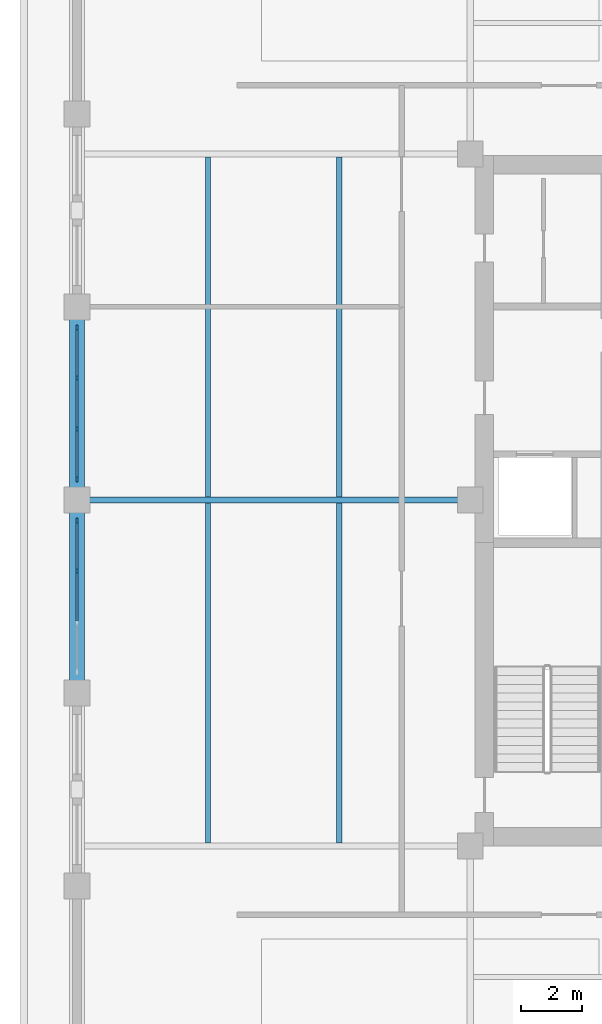
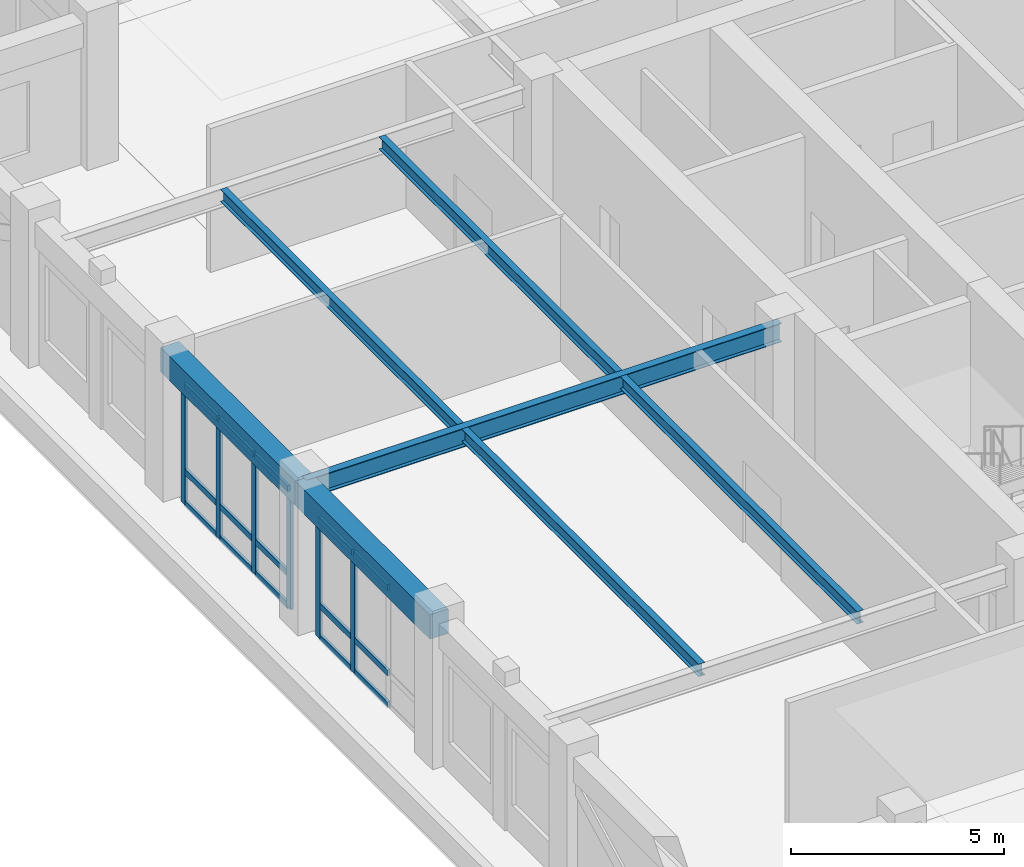
# One storey, part 3 of 14: 21 members, 7 beams, 2 elements without a shape of their own.
"""IFC4 building model written with IfcOpenShell, lengths in metres."""

from ifc_helpers import new_model, si_unit, direction, frame, origin, origin_2d, place, context, subcontext, project, spatial, rectangle, i_section, extrude, material, layer, layer_set, material_profile, profile_set, type_object, element, aggregate, save


model = new_model("IFC4")

# Units and contexts
model_context = context("Model", 3, precision=1e-05, world=origin(), true_north=direction((0.0, 1.0)))
body_context = subcontext(model_context, "Body", "Model", "MODEL_VIEW")
ifc_project = project(units=[si_unit("LENGTHUNIT", "METRE"), si_unit("AREAUNIT", "SQUARE_METRE"), si_unit("VOLUMEUNIT", "CUBIC_METRE"), si_unit("PLANEANGLEUNIT", "RADIAN"), si_unit("MASSUNIT", "GRAM", prefix="KILO")], contexts=[model_context])

# Site, building, storey
site_placement = place(None, origin())
site = spatial("IfcSite", under=ifc_project, at=site_placement, CompositionType="ELEMENT")
building_placement = place(site_placement, origin())
building = spatial("IfcBuilding", under=site, at=building_placement, Name="Nhamokura Convention Tower", CompositionType="ELEMENT")
storey_placement = place(building_placement, frame((0.0, 0.0, 182.35009765625)))
storey = spatial("IfcBuildingStorey", under=building, at=storey_placement, Name="L44", CompositionType="ELEMENT", Elevation=182.35009765625)

# Curtain wall, members
ifc_material_1 = material(Name="Anodised bronze aluminium AA6063-T6", Category="aluminium")
ifc_layer = layer(ifc_material_1, 0.18994140625)
ifc_layer_set = layer_set([ifc_layer], Name="CWSystem_SkyLobby")
curtain_wall_type = type_object("IfcCurtainWallType", Name="CWSystem_SkyLobby", PredefinedType="NOTDEFINED", material=ifc_layer_set)
curtain_wall_1_placement = place(storey_placement, origin())
curtain_wall_1 = element("IfcCurtainWall", 1, at=curtain_wall_1_placement, inside=storey, type_object=curtain_wall_type, Name="L44 Curtain Wall ENV-L44-CW-W2", PredefinedType="NOTDEFINED")
ifc_material_2 = material(Name="Anodised bronze aluminium AA6063-T6", Category="aluminium")
ifc_material_profile_1 = material_profile(ifc_material_2, rectangle(XDim=0.074951171875, YDim=0.199951171875, at=origin_2d()))
ifc_profile_set_1 = profile_set([ifc_material_profile_1], Name="Anodised bronze aluminium AA6063-T6")
member_type_1 = type_object("IfcMemberType", Name="CWMullion_2", PredefinedType="MULLION", material=ifc_profile_set_1)
member_1_placement = place(storey_placement, frame((7.75, 29.672119140625, 0.0), z_axis=(0.0, 0.0, 1.0), x_axis=(-1.0, 0.0, 0.0)))
member_1 = element("IfcMember", 2, at=member_1_placement, type_object=member_type_1, Name="CW-06 mullion 3", PredefinedType="MULLION", context=body_context, shape_type="SweptSolid", body=[
    extrude(rectangle(XDim=0.074951171875, YDim=0.199951171875, at=origin_2d()), origin(), (0.0, 0.0, 1.0), 3.429931640625),
])
member_2_placement = place(storey_placement, frame((7.75, 31.3125, 0.0), z_axis=(0.0, 0.0, 1.0), x_axis=(-1.0, 0.0, 0.0)))
member_2 = element("IfcMember", 3, at=member_2_placement, type_object=member_type_1, Name="CW-06 mullion 4", PredefinedType="MULLION", context=body_context, shape_type="SweptSolid", body=[
    extrude(rectangle(XDim=0.074951171875, YDim=0.199951171875, at=origin_2d()), origin(), (0.0, 0.0, 1.0), 3.429931640625),
])

curtain_wall_2_placement = place(storey_placement, origin())
curtain_wall_2 = element("IfcCurtainWall", 4, at=curtain_wall_2_placement, inside=storey, type_object=curtain_wall_type, Name="L44 Curtain Wall ENV-L44-CW-W3", PredefinedType="NOTDEFINED")
member_3_placement = place(storey_placement, frame((7.75, 32.6875, 0.0), z_axis=(0.0, 0.0, 1.0), x_axis=(-1.0, 0.0, 0.0)))
member_3 = element("IfcMember", 5, at=member_3_placement, type_object=member_type_1, Name="CW-06 mullion 1", PredefinedType="MULLION", context=body_context, shape_type="SweptSolid", body=[
    extrude(rectangle(XDim=0.074951171875, YDim=0.199951171875, at=origin_2d()), origin(), (0.0, 0.0, 1.0), 3.429931640625),
])
member_4_placement = place(storey_placement, frame((7.75, 34.327880859375, 0.0), z_axis=(0.0, 0.0, 1.0), x_axis=(-1.0, 0.0, 0.0)))
member_4 = element("IfcMember", 6, at=member_4_placement, type_object=member_type_1, Name="CW-06 mullion 2", PredefinedType="MULLION", context=body_context, shape_type="SweptSolid", body=[
    extrude(rectangle(XDim=0.074951171875, YDim=0.199951171875, at=origin_2d()), origin(), (0.0, 0.0, 1.0), 3.429931640625),
])
member_5_placement = place(storey_placement, frame((7.75, 36.005615234375, 0.0), z_axis=(0.0, 0.0, 1.0), x_axis=(-1.0, 0.0, 0.0)))
member_5 = element("IfcMember", 7, at=member_5_placement, type_object=member_type_1, Name="CW-06 mullion 3", PredefinedType="MULLION", context=body_context, shape_type="SweptSolid", body=[
    extrude(rectangle(XDim=0.074951171875, YDim=0.199951171875, at=origin_2d()), origin(), (0.0, 0.0, 1.0), 3.429931640625),
])
member_6_placement = place(storey_placement, frame((7.75, 37.645751953125, 0.0), z_axis=(0.0, 0.0, 1.0), x_axis=(-1.0, 0.0, 0.0)))
member_6 = element("IfcMember", 8, at=member_6_placement, type_object=member_type_1, Name="CW-06 mullion 4", PredefinedType="MULLION", context=body_context, shape_type="SweptSolid", body=[
    extrude(rectangle(XDim=0.074951171875, YDim=0.199951171875, at=origin_2d()), origin(), (0.0, 0.0, 1.0), 3.429931640625),
])

# Member
ifc_material_3 = material(Name="Anodised bronze aluminium AA6063-T6", Category="aluminium")
ifc_material_profile_2 = material_profile(ifc_material_3, rectangle(XDim=0.074951171875, YDim=0.169921875, at=origin_2d()))
ifc_profile_set_2 = profile_set([ifc_material_profile_2], Name="Anodised bronze aluminium AA6063-T6")
member_type_2 = type_object("IfcMemberType", Name="CWTransom_2", PredefinedType="USERDEFINED", material=ifc_profile_set_2)
member_7_placement = place(storey_placement, frame((7.75, 28.031982421875, 0.037353515625), z_axis=(0.0, 1.0, 0.0), x_axis=(-1.0, 0.0, 0.0)))
member_7 = element("IfcMember", 9, at=member_7_placement, type_object=member_type_2, Name="CW-06 transom 2.1", ObjectType="TRANSOM", PredefinedType="USERDEFINED", context=body_context, shape_type="SweptSolid", body=[
    extrude(rectangle(XDim=0.074951171875, YDim=0.169921875, at=origin_2d()), origin(), (0.0, 0.0, 1.0), 1.602783203125),
])

member_8_placement = place(storey_placement, frame((7.75, 28.031982421875, 0.949951171875), z_axis=(0.0, 1.0, 0.0), x_axis=(-1.0, 0.0, 0.0)))
member_8 = element("IfcMember", 10, at=member_8_placement, type_object=member_type_2, Name="CW-06 transom 2.2", ObjectType="TRANSOM", PredefinedType="USERDEFINED", context=body_context, shape_type="SweptSolid", body=[
    extrude(rectangle(XDim=0.074951171875, YDim=0.169921875, at=origin_2d()), origin(), (0.0, 0.0, 1.0), 1.602783203125),
])

member_9_placement = place(storey_placement, frame((7.75, 28.031982421875, 3.392333984375), z_axis=(0.0, 1.0, 0.0), x_axis=(-1.0, 0.0, 0.0)))
member_9 = element("IfcMember", 11, at=member_9_placement, type_object=member_type_2, Name="CW-06 transom 2.3", ObjectType="TRANSOM", PredefinedType="USERDEFINED", context=body_context, shape_type="SweptSolid", body=[
    extrude(rectangle(XDim=0.074951171875, YDim=0.169921875, at=origin_2d()), origin(), (0.0, 0.0, 1.0), 1.602783203125),
])

member_10_placement = place(storey_placement, frame((7.75, 29.709716796875, 0.037353515625), z_axis=(0.0, 1.0, 0.0), x_axis=(-1.0, 0.0, 0.0)))
member_10 = element("IfcMember", 12, at=member_10_placement, type_object=member_type_2, Name="CW-06 transom 3.1", ObjectType="TRANSOM", PredefinedType="USERDEFINED", context=body_context, shape_type="SweptSolid", body=[
    extrude(rectangle(XDim=0.074951171875, YDim=0.169921875, at=origin_2d()), origin(), (0.0, 0.0, 1.0), 1.565185546875),
])

member_11_placement = place(storey_placement, frame((7.75, 29.709716796875, 0.949951171875), z_axis=(0.0, 1.0, 0.0), x_axis=(-1.0, 0.0, 0.0)))
member_11 = element("IfcMember", 13, at=member_11_placement, type_object=member_type_2, Name="CW-06 transom 3.2", ObjectType="TRANSOM", PredefinedType="USERDEFINED", context=body_context, shape_type="SweptSolid", body=[
    extrude(rectangle(XDim=0.074951171875, YDim=0.169921875, at=origin_2d()), origin(), (0.0, 0.0, 1.0), 1.565185546875),
])

member_12_placement = place(storey_placement, frame((7.75, 29.709716796875, 3.392333984375), z_axis=(0.0, 1.0, 0.0), x_axis=(-1.0, 0.0, 0.0)))
member_12 = element("IfcMember", 14, at=member_12_placement, type_object=member_type_2, Name="CW-06 transom 3.3", ObjectType="TRANSOM", PredefinedType="USERDEFINED", context=body_context, shape_type="SweptSolid", body=[
    extrude(rectangle(XDim=0.074951171875, YDim=0.169921875, at=origin_2d()), origin(), (0.0, 0.0, 1.0), 1.565185546875),
])

aggregate(curtain_wall_1, [member_1, member_2, member_7, member_8, member_9, member_10, member_11, member_12])

member_13_placement = place(storey_placement, frame((7.75, 32.72509765625, 0.037353515625), z_axis=(0.0, 1.0, 0.0), x_axis=(-1.0, 0.0, 0.0)))
member_13 = element("IfcMember", 15, at=member_13_placement, type_object=member_type_2, Name="CW-06 transom 1.1", ObjectType="TRANSOM", PredefinedType="USERDEFINED", context=body_context, shape_type="SweptSolid", body=[
    extrude(rectangle(XDim=0.074951171875, YDim=0.169921875, at=origin_2d()), origin(), (0.0, 0.0, 1.0), 1.565185546875),
])

member_14_placement = place(storey_placement, frame((7.75, 32.72509765625, 0.949951171875), z_axis=(0.0, 1.0, 0.0), x_axis=(-1.0, 0.0, 0.0)))
member_14 = element("IfcMember", 16, at=member_14_placement, type_object=member_type_2, Name="CW-06 transom 1.2", ObjectType="TRANSOM", PredefinedType="USERDEFINED", context=body_context, shape_type="SweptSolid", body=[
    extrude(rectangle(XDim=0.074951171875, YDim=0.169921875, at=origin_2d()), origin(), (0.0, 0.0, 1.0), 1.565185546875),
])

member_15_placement = place(storey_placement, frame((7.75, 32.72509765625, 3.392333984375), z_axis=(0.0, 1.0, 0.0), x_axis=(-1.0, 0.0, 0.0)))
member_15 = element("IfcMember", 17, at=member_15_placement, type_object=member_type_2, Name="CW-06 transom 1.3", ObjectType="TRANSOM", PredefinedType="USERDEFINED", context=body_context, shape_type="SweptSolid", body=[
    extrude(rectangle(XDim=0.074951171875, YDim=0.169921875, at=origin_2d()), origin(), (0.0, 0.0, 1.0), 1.565185546875),
])

member_16_placement = place(storey_placement, frame((7.75, 34.365234375, 0.037353515625), z_axis=(0.0, 1.0, 0.0), x_axis=(-1.0, 0.0, 0.0)))
member_16 = element("IfcMember", 18, at=member_16_placement, type_object=member_type_2, Name="CW-06 transom 2.1", ObjectType="TRANSOM", PredefinedType="USERDEFINED", context=body_context, shape_type="SweptSolid", body=[
    extrude(rectangle(XDim=0.074951171875, YDim=0.169921875, at=origin_2d()), origin(), (0.0, 0.0, 1.0), 1.602783203125),
])

member_17_placement = place(storey_placement, frame((7.75, 34.365234375, 0.949951171875), z_axis=(0.0, 1.0, 0.0), x_axis=(-1.0, 0.0, 0.0)))
member_17 = element("IfcMember", 19, at=member_17_placement, type_object=member_type_2, Name="CW-06 transom 2.2", ObjectType="TRANSOM", PredefinedType="USERDEFINED", context=body_context, shape_type="SweptSolid", body=[
    extrude(rectangle(XDim=0.074951171875, YDim=0.169921875, at=origin_2d()), origin(), (0.0, 0.0, 1.0), 1.602783203125),
])

member_18_placement = place(storey_placement, frame((7.75, 34.365234375, 3.392333984375), z_axis=(0.0, 1.0, 0.0), x_axis=(-1.0, 0.0, 0.0)))
member_18 = element("IfcMember", 20, at=member_18_placement, type_object=member_type_2, Name="CW-06 transom 2.3", ObjectType="TRANSOM", PredefinedType="USERDEFINED", context=body_context, shape_type="SweptSolid", body=[
    extrude(rectangle(XDim=0.074951171875, YDim=0.169921875, at=origin_2d()), origin(), (0.0, 0.0, 1.0), 1.602783203125),
])

member_19_placement = place(storey_placement, frame((7.75, 36.04296875, 0.037353515625), z_axis=(0.0, 1.0, 0.0), x_axis=(-1.0, 0.0, 0.0)))
member_19 = element("IfcMember", 21, at=member_19_placement, type_object=member_type_2, Name="CW-06 transom 3.1", ObjectType="TRANSOM", PredefinedType="USERDEFINED", context=body_context, shape_type="SweptSolid", body=[
    extrude(rectangle(XDim=0.074951171875, YDim=0.169921875, at=origin_2d()), origin(), (0.0, 0.0, 1.0), 1.5654296875),
])

member_20_placement = place(storey_placement, frame((7.75, 36.04296875, 0.949951171875), z_axis=(0.0, 1.0, 0.0), x_axis=(-1.0, 0.0, 0.0)))
member_20 = element("IfcMember", 22, at=member_20_placement, type_object=member_type_2, Name="CW-06 transom 3.2", ObjectType="TRANSOM", PredefinedType="USERDEFINED", context=body_context, shape_type="SweptSolid", body=[
    extrude(rectangle(XDim=0.074951171875, YDim=0.169921875, at=origin_2d()), origin(), (0.0, 0.0, 1.0), 1.5654296875),
])

member_21_placement = place(storey_placement, frame((7.75, 36.04296875, 3.392333984375), z_axis=(0.0, 1.0, 0.0), x_axis=(-1.0, 0.0, 0.0)))
member_21 = element("IfcMember", 23, at=member_21_placement, type_object=member_type_2, Name="CW-06 transom 3.3", ObjectType="TRANSOM", PredefinedType="USERDEFINED", context=body_context, shape_type="SweptSolid", body=[
    extrude(rectangle(XDim=0.074951171875, YDim=0.169921875, at=origin_2d()), origin(), (0.0, 0.0, 1.0), 1.5654296875),
])

aggregate(curtain_wall_2, [member_3, member_4, member_5, member_6, member_13, member_14, member_15, member_16, member_17, member_18, member_19, member_20, member_21])

# Beams
ifc_material_4 = material(Name="Steel ASTM A992 Gr 50", Category="steel")
ifc_material_profile_3 = material_profile(ifc_material_4, i_section(OverallWidth=0.172119140625, OverallDepth=0.35791015625, WebThickness=0.0078125, FlangeThickness=0.01318359375, at=origin_2d()))
ifc_profile_set_3 = profile_set([ifc_material_profile_3], Name="Steel ASTM A992 Gr 50")
beam_type_1 = type_object("IfcBeamType", Name="FloorJoist_W360X57", PredefinedType="JOIST", material=ifc_profile_set_3)
for number, where, z_axis, x_axis, name in (
    (24, (12.050048828125, 20.75341796875, 3.950927734375), (0.0, 1.0, 0.0), (-1.0, 0.0, 0.0), "L44 Composite Floor Joist W1A"),
    (25, (12.050048828125, 32.103515625, 3.950927734375), (0.0, 1.0, 0.0), (-1.0, 0.0, 0.0), "L44 Composite Floor Joist W1B"),
    (26, (16.35009765625, 20.75341796875, 3.950927734375), (0.0, 1.0, 0.0), (-1.0, 0.0, 0.0), "L44 Composite Floor Joist W2A"),
    (27, (16.35009765625, 32.103515625, 3.950927734375), (0.0, 1.0, 0.0), (-1.0, 0.0, 0.0), "L44 Composite Floor Joist W2B"),
):
    element("IfcBeam", number, at=place(storey_placement, frame(where, z_axis=z_axis, x_axis=x_axis)), inside=storey, type_object=beam_type_1, Name=name, PredefinedType="JOIST", context=body_context, shape_type="SweptSolid", body=[
        extrude(i_section(OverallWidth=0.172119140625, OverallDepth=0.35791015625, WebThickness=0.0078125, FlangeThickness=0.01318359375, at=origin_2d()), origin(), (0.0, 0.0, 1.0), 11.14306640625),
    ])
ifc_material_5 = material(Name="Steel ASTM A992 Gr 50", Category="steel")
ifc_material_profile_4 = material_profile(ifc_material_5, i_section(OverallWidth=0.2109375, OverallDepth=0.5390625, WebThickness=0.01171875, FlangeThickness=0.018798828125, at=origin_2d()))
ifc_profile_set_4 = profile_set([ifc_material_profile_4], Name="Steel ASTM A992 Gr 50")
beam_type_2 = type_object("IfcBeamType", Name="PrimaryGirder_W530X109", PredefinedType="BEAM", material=ifc_profile_set_4)
beam_placement = place(storey_placement, frame((7.75, 32.0, 3.8603515625), z_axis=(1.0, 0.0, 0.0), x_axis=(0.0, 1.0, 0.0)))
element("IfcBeam", 28, at=beam_placement, inside=storey, type_object=beam_type_2, Name="L44 Primary Floor Girder PG-W2", PredefinedType="BEAM", context=body_context, shape_type="SweptSolid", body=[
    extrude(i_section(OverallWidth=0.2109375, OverallDepth=0.5390625, WebThickness=0.01171875, FlangeThickness=0.018798828125, at=origin_2d()), origin(), (0.0, 0.0, 1.0), 12.89990234375),
])
ifc_material_6 = material(Name="Concrete C50/60", Category="concrete")
ifc_material_profile_5 = material_profile(ifc_material_6, rectangle(XDim=0.5, YDim=0.699951171875, at=origin_2d()))
ifc_profile_set_5 = profile_set([ifc_material_profile_5], Name="Concrete C50/60")
beam_type_3 = type_object("IfcBeamType", Name="TubeSpandrel_700", PredefinedType="SPANDREL", material=ifc_profile_set_5)
for number, where, z_axis, x_axis, name in (
    (29, (7.75, 25.666748046875, 3.77978515625), (0.0, 1.0, 0.0), (-1.0, 0.0, 0.0), "L44 Perimeter Spandrel WEST 3"),
    (30, (7.75, 32.0, 3.77978515625), (0.0, 1.0, 0.0), (-1.0, 0.0, 0.0), "L44 Perimeter Spandrel WEST 4"),
):
    element("IfcBeam", number, at=place(storey_placement, frame(where, z_axis=z_axis, x_axis=x_axis)), inside=storey, type_object=beam_type_3, Name=name, PredefinedType="SPANDREL", context=body_context, shape_type="SweptSolid", body=[
        extrude(rectangle(XDim=0.5, YDim=0.699951171875, at=origin_2d()), origin(), (0.0, 0.0, 1.0), 6.333251953125),
    ])

save(model, "model.ifc")
